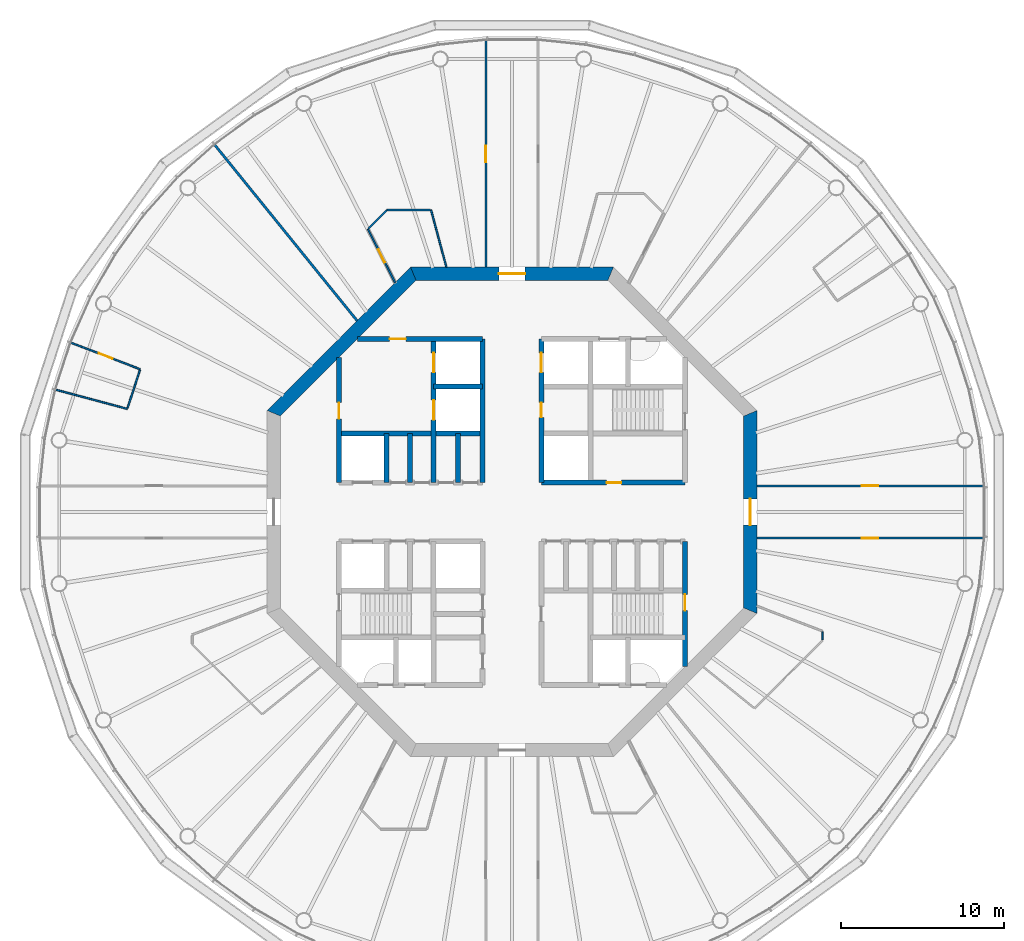
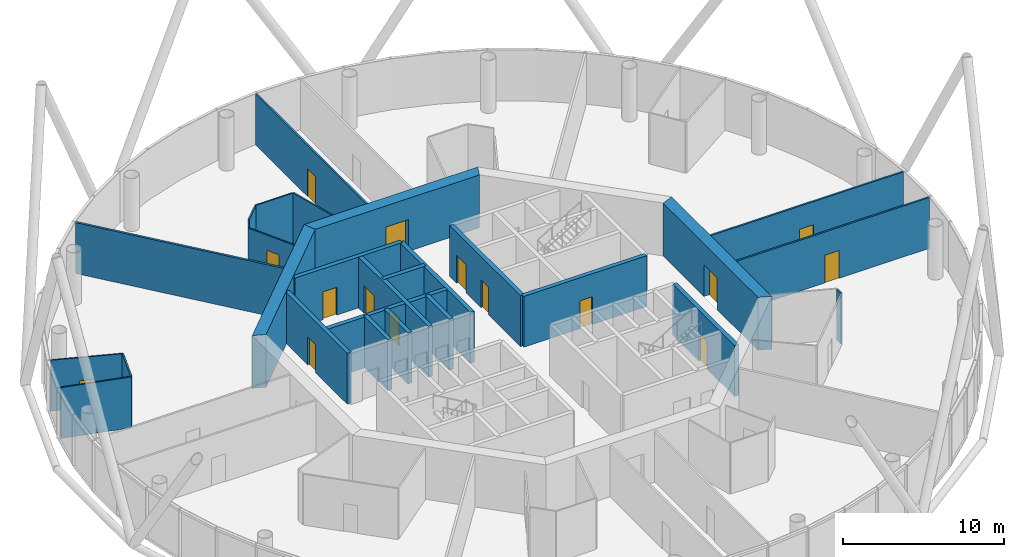
# One storey, part 5 of 13: 27 walls, 15 doors, 15 openings.
"""IFC4 building model written with IfcOpenShell, lengths in metres."""

from ifc_helpers import new_model, si_unit, direction, frame, frame_2d, origin, place, context, subcontext, project, spatial, polyline, rectangle, outline, extrude, material, layer, layer_set, type_object, element, fill, save


model = new_model("IFC4")

# Units and contexts
model_context = context("Model", 3, precision=1e-05, world=origin(), true_north=direction((0.0, 1.0)))
body_context = subcontext(model_context, "Body", "Model", "MODEL_VIEW")
ifc_project = project(units=[si_unit("LENGTHUNIT", "METRE"), si_unit("AREAUNIT", "SQUARE_METRE"), si_unit("VOLUMEUNIT", "CUBIC_METRE"), si_unit("PLANEANGLEUNIT", "RADIAN"), si_unit("MASSUNIT", "GRAM", prefix="KILO")], contexts=[model_context])

# Site, building, storey
site_placement = place(None, origin())
site = spatial("IfcSite", under=ifc_project, at=site_placement, CompositionType="ELEMENT")
building_placement = place(site_placement, origin())
building = spatial("IfcBuilding", under=site, at=building_placement, Name="Entoto Ring Tower", CompositionType="ELEMENT")
storey_placement = place(building_placement, frame((0.0, 0.0, 294.0)))
storey = spatial("IfcBuildingStorey", under=building, at=storey_placement, Name="L67", CompositionType="ELEMENT", Elevation=294.0)

# Wall, opening, door
ifc_material_1 = material(Name="Concrete C40/50", Category="concrete")
ifc_layer_1 = layer(ifc_material_1, 0.300048828125)
ifc_layer_set_1 = layer_set([ifc_layer_1], Name="Concrete C40/50")
wall_type_1 = type_object("IfcWallType", Name="Core enclosure wall 300 mm reinforced concrete", PredefinedType="SOLIDWALL", material=ifc_layer_set_1)
wall_1_placement = place(storey_placement, frame((100.60009765625, 70.518310546875, 0.0), z_axis=(0.0, 0.0, 1.0), x_axis=(0.0, 1.0, 0.0)))
wall_1 = element("IfcWall", 1, at=wall_1_placement, inside=storey, type_object=wall_type_1, Name="wall-L67-001", PredefinedType="SOLIDWALL", context=body_context, shape_type="SweptSolid", body=[
    extrude(rectangle(XDim=7.681640625, YDim=0.300048828125, at=frame_2d((3.8408203125, 0.0))), origin(), (0.0, 0.0, 1.0), 3.85009765625),
])
opening_1_placement = place(wall_1_placement, frame((3.431884765625, 0.0, 0.0)))
opening_1 = element("IfcOpeningElement", 2, at=opening_1_placement, cuts=wall_1, Name="Opening K-31", PredefinedType="OPENING", context=body_context, shape_type="SweptSolid", body=[
    extrude(rectangle(XDim=1.0, YDim=2.10009765625, at=frame_2d((0.5, 1.050048828125))), frame((0.0, 0.16015625, 0.0), z_axis=(0.0, -1.0, 0.0), x_axis=(1.0, 0.0, 0.0)), (0.0, 0.0, 1.0), 0.320068359375),
])
ifc_material_2 = material(Name="Steel door leaf, fire rated", Category="steel")
ifc_layer_2 = layer(ifc_material_2, 0.050048828125)
ifc_layer_set_2 = layer_set([ifc_layer_2], Name="Steel door leaf, fire rated")
door_type_1 = type_object("IfcDoorType", Name="Fire door FD60 1000 x 2100 single leaf", OperationType="NOTDEFINED", PredefinedType="DOOR", material=ifc_layer_set_2)
door_1_placement = place(opening_1_placement, origin())
door_1 = element("IfcDoor", 3, at=door_1_placement, inside=storey, type_object=door_type_1, Name="Door K-31", OperationType="SINGLE_SWING_RIGHT", OverallHeight=2.10009765625, OverallWidth=1.0, PredefinedType="DOOR", context=body_context, shape_type="SweptSolid", body=[
    extrude(rectangle(XDim=1.0, YDim=2.10009765625, at=frame_2d((0.5, 1.050048828125))), frame((0.0, 0.02490234375, 0.0), z_axis=(0.0, -1.0, 0.0), x_axis=(1.0, 0.0, 0.0)), (0.0, 0.0, 1.0), 0.050048828125),
])
fill(opening_1, door_1)

# Wall, openings, doors
wall_2_placement = place(storey_placement, frame((91.800048828125, 81.800048828125, 0.0), z_axis=(0.0, 0.0, 1.0), x_axis=(0.0, 1.0, 0.0)))
wall_2 = element("IfcWall", 4, at=wall_2_placement, inside=storey, type_object=wall_type_1, Name="wall-L67-012", PredefinedType="SOLIDWALL", context=body_context, shape_type="SweptSolid", body=[
    extrude(rectangle(XDim=8.800048828125, YDim=0.300048828125, at=frame_2d((4.39990234375, 0.0))), origin(), (0.0, 0.0, 1.0), 3.85009765625),
])
opening_2_placement = place(wall_2_placement, frame((6.75, 0.0, 0.0)))
opening_2 = element("IfcOpeningElement", 5, at=opening_2_placement, cuts=wall_2, Name="Opening LD", PredefinedType="OPENING", context=body_context, shape_type="SweptSolid", body=[
    extrude(rectangle(XDim=1.199951171875, YDim=2.10009765625, at=frame_2d((0.60009765625, 1.050048828125))), frame((0.0, 0.16015625, 0.0), z_axis=(0.0, -1.0, 0.0), x_axis=(1.0, 0.0, 0.0)), (0.0, 0.0, 1.0), 0.320068359375),
])
opening_3_placement = place(wall_2_placement, frame((4.0, 0.0, 0.0)))
opening_3 = element("IfcOpeningElement", 6, at=opening_3_placement, cuts=wall_2, Name="Opening K-63", PredefinedType="OPENING", context=body_context, shape_type="SweptSolid", body=[
    extrude(rectangle(XDim=0.89990234375, YDim=2.10009765625, at=frame_2d((0.449951171875, 1.050048828125))), frame((0.0, 0.16015625, 0.0), z_axis=(0.0, -1.0, 0.0), x_axis=(1.0, 0.0, 0.0)), (0.0, 0.0, 1.0), 0.320068359375),
])
ifc_material_3 = material(Name="Steel door leaf, fire rated", Category="steel")
ifc_layer_3 = layer(ifc_material_3, 0.050048828125)
ifc_layer_set_3 = layer_set([ifc_layer_3], Name="Steel door leaf, fire rated")
door_type_2 = type_object("IfcDoorType", Name="Core door 900 x 2100 single leaf", OperationType="NOTDEFINED", PredefinedType="DOOR", material=ifc_layer_set_3)
door_2_placement = place(opening_3_placement, frame((0.89990234375, 0.0, 0.0), z_axis=(0.0, 0.0, 1.0), x_axis=(-1.0, 0.0, 0.0)))
door_2 = element("IfcDoor", 7, at=door_2_placement, inside=storey, type_object=door_type_2, Name="Door K-63", OperationType="SINGLE_SWING_RIGHT", OverallHeight=2.10009765625, OverallWidth=0.89990234375, PredefinedType="DOOR", context=body_context, shape_type="SweptSolid", body=[
    extrude(rectangle(XDim=0.89990234375, YDim=2.10009765625, at=frame_2d((0.449951171875, 1.050048828125))), frame((0.0, 0.02490234375, 0.0), z_axis=(0.0, -1.0, 0.0), x_axis=(1.0, 0.0, 0.0)), (0.0, 0.0, 1.0), 0.050048828125),
])
fill(opening_3, door_2)
ifc_material_4 = material(Name="Steel and glass door leaf", Category="steel")
ifc_layer_4 = layer(ifc_material_4, 0.050048828125)
ifc_layer_set_4 = layer_set([ifc_layer_4], Name="Steel and glass door leaf")
door_type_3 = type_object("IfcDoorType", Name="Landing door 1200 x 2100 sliding", OperationType="DOUBLE_DOOR_SLIDING", PredefinedType="DOOR", material=ifc_layer_set_4)
door_3_placement = place(opening_2_placement, origin())
door_3 = element("IfcDoor", 8, at=door_3_placement, inside=storey, type_object=door_type_3, Name="Landing door SH3", OperationType="SLIDING_TO_RIGHT", OverallHeight=2.10009765625, OverallWidth=1.199951171875, PredefinedType="DOOR", context=body_context, shape_type="SweptSolid", body=[
    extrude(rectangle(XDim=1.199951171875, YDim=2.10009765625, at=frame_2d((0.60009765625, 1.050048828125))), frame((0.0, 0.02490234375, 0.0), z_axis=(0.0, -1.0, 0.0), x_axis=(1.0, 0.0, 0.0)), (0.0, 0.0, 1.0), 0.050048828125),
])
fill(opening_2, door_3)

# Walls
wall_3_placement = place(storey_placement, frame((88.199951171875, 81.800048828125, 0.0), z_axis=(0.0, 0.0, 1.0), x_axis=(0.0, 1.0, 0.0)))
element("IfcWall", 9, at=wall_3_placement, inside=storey, type_object=wall_type_1, Name="wall-L67-014", PredefinedType="SOLIDWALL", context=body_context, shape_type="SweptSolid", body=[
    extrude(rectangle(XDim=8.800048828125, YDim=0.300048828125, at=frame_2d((4.39990234375, 0.0))), origin(), (0.0, 0.0, 1.0), 3.85009765625),
])
wall_4_placement = place(storey_placement, frame((86.699951171875, 81.800048828125, 0.0), z_axis=(0.0, 0.0, 1.0), x_axis=(0.0, 1.0, 0.0)))
element("IfcWall", 10, at=wall_4_placement, inside=storey, type_object=wall_type_1, Name="wall-L67-015", PredefinedType="SOLIDWALL", context=body_context, shape_type="SweptSolid", body=[
    extrude(rectangle(XDim=3.0, YDim=0.300048828125, at=frame_2d((1.5, 0.0))), origin(), (0.0, 0.0, 1.0), 3.85009765625),
])

# Wall, openings, doors
wall_5_placement = place(storey_placement, frame((85.199951171875, 81.800048828125, 0.0), z_axis=(0.0, 0.0, 1.0), x_axis=(0.0, 1.0, 0.0)))
wall_5 = element("IfcWall", 11, at=wall_5_placement, inside=storey, type_object=wall_type_1, Name="wall-L67-017", PredefinedType="SOLIDWALL", context=body_context, shape_type="SweptSolid", body=[
    extrude(rectangle(XDim=8.800048828125, YDim=0.300048828125, at=frame_2d((4.39990234375, 0.0))), origin(), (0.0, 0.0, 1.0), 3.85009765625),
])
opening_4_placement = place(wall_5_placement, frame((3.85009765625, 0.0, 0.0)))
opening_4 = element("IfcOpeningElement", 12, at=opening_4_placement, cuts=wall_5, Name="Opening LD", PredefinedType="OPENING", context=body_context, shape_type="SweptSolid", body=[
    extrude(rectangle(XDim=1.199951171875, YDim=2.10009765625, at=frame_2d((0.60009765625, 1.050048828125))), frame((0.0, 0.16015625, 0.0), z_axis=(0.0, -1.0, 0.0), x_axis=(1.0, 0.0, 0.0)), (0.0, 0.0, 1.0), 0.320068359375),
])
opening_5_placement = place(wall_5_placement, frame((6.75, 0.0, 0.0)))
opening_5 = element("IfcOpeningElement", 13, at=opening_5_placement, cuts=wall_5, Name="Opening LD", PredefinedType="OPENING", context=body_context, shape_type="SweptSolid", body=[
    extrude(rectangle(XDim=1.199951171875, YDim=2.10009765625, at=frame_2d((0.60009765625, 1.050048828125))), frame((0.0, 0.16015625, 0.0), z_axis=(0.0, -1.0, 0.0), x_axis=(1.0, 0.0, 0.0)), (0.0, 0.0, 1.0), 0.320068359375),
])
door_4_placement = place(opening_4_placement, origin())
door_4 = element("IfcDoor", 14, at=door_4_placement, inside=storey, type_object=door_type_3, Name="Landing door FF1", OperationType="SLIDING_TO_RIGHT", OverallHeight=2.10009765625, OverallWidth=1.199951171875, PredefinedType="DOOR", context=body_context, shape_type="SweptSolid", body=[
    extrude(rectangle(XDim=1.199951171875, YDim=2.10009765625, at=frame_2d((0.60009765625, 1.050048828125))), frame((0.0, 0.02490234375, 0.0), z_axis=(0.0, -1.0, 0.0), x_axis=(1.0, 0.0, 0.0)), (0.0, 0.0, 1.0), 0.050048828125),
])
fill(opening_4, door_4)
door_5_placement = place(opening_5_placement, origin())
door_5 = element("IfcDoor", 15, at=door_5_placement, inside=storey, type_object=door_type_3, Name="Landing door FF2", OperationType="SLIDING_TO_RIGHT", OverallHeight=2.10009765625, OverallWidth=1.199951171875, PredefinedType="DOOR", context=body_context, shape_type="SweptSolid", body=[
    extrude(rectangle(XDim=1.199951171875, YDim=2.10009765625, at=frame_2d((0.60009765625, 1.050048828125))), frame((0.0, 0.02490234375, 0.0), z_axis=(0.0, -1.0, 0.0), x_axis=(1.0, 0.0, 0.0)), (0.0, 0.0, 1.0), 0.050048828125),
])
fill(opening_5, door_5)

# Walls
for number, where, z_axis, x_axis, name in (
    (16, (83.75, 81.800048828125, 0.0), (0.0, 0.0, 1.0), (0.0, 1.0, 0.0), "wall-L67-019"),
    (17, (82.300048828125, 81.800048828125, 0.0), (0.0, 0.0, 1.0), (0.0, 1.0, 0.0), "wall-L67-022"),
):
    element("IfcWall", number, at=place(storey_placement, frame(where, z_axis=z_axis, x_axis=x_axis)), inside=storey, type_object=wall_type_1, Name=name, PredefinedType="SOLIDWALL", context=body_context, shape_type="SweptSolid", body=[
        extrude(rectangle(XDim=3.0, YDim=0.300048828125, at=frame_2d((1.5, 0.0))), origin(), (0.0, 0.0, 1.0), 3.85009765625),
    ])

# Wall, opening, door
wall_6_placement = place(storey_placement, frame((79.39990234375, 81.800048828125, 0.0), z_axis=(0.0, 0.0, 1.0), x_axis=(0.0, 1.0, 0.0)))
wall_6 = element("IfcWall", 18, at=wall_6_placement, inside=storey, type_object=wall_type_1, Name="wall-L67-024", PredefinedType="SOLIDWALL", context=body_context, shape_type="SweptSolid", body=[
    extrude(rectangle(XDim=7.681640625, YDim=0.300048828125, at=frame_2d((3.8408203125, 0.0))), origin(), (0.0, 0.0, 1.0), 3.85009765625),
])
opening_6_placement = place(wall_6_placement, frame((3.89990234375, 0.0, 0.0)))
opening_6 = element("IfcOpeningElement", 19, at=opening_6_placement, cuts=wall_6, Name="Opening K-35", PredefinedType="OPENING", context=body_context, shape_type="SweptSolid", body=[
    extrude(rectangle(XDim=1.0, YDim=2.10009765625, at=frame_2d((0.5, 1.050048828125))), frame((0.0, 0.16015625, 0.0), z_axis=(0.0, -1.0, 0.0), x_axis=(1.0, 0.0, 0.0)), (0.0, 0.0, 1.0), 0.320068359375),
])
door_6_placement = place(opening_6_placement, frame((1.0, 0.0, 0.0), z_axis=(0.0, 0.0, 1.0), x_axis=(-1.0, 0.0, 0.0)))
door_6 = element("IfcDoor", 20, at=door_6_placement, inside=storey, type_object=door_type_1, Name="Door K-35", OperationType="SINGLE_SWING_RIGHT", OverallHeight=2.10009765625, OverallWidth=1.0, PredefinedType="DOOR", context=body_context, shape_type="SweptSolid", body=[
    extrude(rectangle(XDim=1.0, YDim=2.10009765625, at=frame_2d((0.5, 1.050048828125))), frame((0.0, 0.02490234375, 0.0), z_axis=(0.0, -1.0, 0.0), x_axis=(1.0, 0.0, 0.0)), (0.0, 0.0, 1.0), 0.050048828125),
])
fill(opening_6, door_6)

wall_7_placement = place(storey_placement, frame((91.800048828125, 81.800048828125, 0.0), z_axis=(0.0, 0.0, 1.0), x_axis=(1.0, 0.0, 0.0)))
wall_7 = element("IfcWall", 21, at=wall_7_placement, inside=storey, type_object=wall_type_1, Name="wall-L67-035", PredefinedType="SOLIDWALL", context=body_context, shape_type="SweptSolid", body=[
    extrude(rectangle(XDim=8.800048828125, YDim=0.300048828125, at=frame_2d((4.39990234375, 0.0))), origin(), (0.0, 0.0, 1.0), 3.85009765625),
])
opening_7_placement = place(wall_7_placement, frame((4.0, 0.0, 0.0)))
opening_7 = element("IfcOpeningElement", 22, at=opening_7_placement, cuts=wall_7, Name="Opening K-11", PredefinedType="OPENING", context=body_context, shape_type="SweptSolid", body=[
    extrude(rectangle(XDim=0.89990234375, YDim=2.10009765625, at=frame_2d((0.449951171875, 1.050048828125))), frame((0.0, 0.16015625, 0.0), z_axis=(0.0, -1.0, 0.0), x_axis=(1.0, 0.0, 0.0)), (0.0, 0.0, 1.0), 0.320068359375),
])
door_7_placement = place(opening_7_placement, origin())
door_7 = element("IfcDoor", 23, at=door_7_placement, inside=storey, type_object=door_type_2, Name="Door K-11", OperationType="SINGLE_SWING_LEFT", OverallHeight=2.10009765625, OverallWidth=0.89990234375, PredefinedType="DOOR", context=body_context, shape_type="SweptSolid", body=[
    extrude(rectangle(XDim=0.89990234375, YDim=2.10009765625, at=frame_2d((0.449951171875, 1.050048828125))), frame((0.0, 0.02490234375, 0.0), z_axis=(0.0, -1.0, 0.0), x_axis=(1.0, 0.0, 0.0)), (0.0, 0.0, 1.0), 0.050048828125),
])
fill(opening_7, door_7)

# Walls
wall_8_placement = place(storey_placement, frame((79.39990234375, 84.800048828125, 0.0), z_axis=(0.0, 0.0, 1.0), x_axis=(1.0, 0.0, 0.0)))
element("IfcWall", 24, at=wall_8_placement, inside=storey, type_object=wall_type_1, Name="wall-L67-036", PredefinedType="SOLIDWALL", context=body_context, shape_type="SweptSolid", body=[
    extrude(rectangle(XDim=8.800048828125, YDim=0.300048828125, at=frame_2d((4.39990234375, 0.0))), origin(), (0.0, 0.0, 1.0), 3.85009765625),
])
wall_9_placement = place(storey_placement, frame((85.199951171875, 87.699951171875, 0.0), z_axis=(0.0, 0.0, 1.0), x_axis=(1.0, 0.0, 0.0)))
element("IfcWall", 25, at=wall_9_placement, inside=storey, type_object=wall_type_1, Name="wall-L67-038", PredefinedType="SOLIDWALL", context=body_context, shape_type="SweptSolid", body=[
    extrude(rectangle(XDim=3.0, YDim=0.300048828125, at=frame_2d((1.5, 0.0))), origin(), (0.0, 0.0, 1.0), 3.85009765625),
])

# Wall, opening, door
wall_10_placement = place(storey_placement, frame((80.518310546875, 90.60009765625, 0.0), z_axis=(0.0, 0.0, 1.0), x_axis=(1.0, 0.0, 0.0)))
wall_10 = element("IfcWall", 26, at=wall_10_placement, inside=storey, type_object=wall_type_1, Name="wall-L67-040", PredefinedType="SOLIDWALL", context=body_context, shape_type="SweptSolid", body=[
    extrude(rectangle(XDim=7.681640625, YDim=0.300048828125, at=frame_2d((3.8408203125, 0.0))), origin(), (0.0, 0.0, 1.0), 3.85009765625),
])
opening_8_placement = place(wall_10_placement, frame((1.981689453125, 0.0, 0.0)))
opening_8 = element("IfcOpeningElement", 27, at=opening_8_placement, cuts=wall_10, Name="Opening K-36", PredefinedType="OPENING", context=body_context, shape_type="SweptSolid", body=[
    extrude(rectangle(XDim=1.0, YDim=2.10009765625, at=frame_2d((0.5, 1.050048828125))), frame((0.0, 0.16015625, 0.0), z_axis=(0.0, -1.0, 0.0), x_axis=(1.0, 0.0, 0.0)), (0.0, 0.0, 1.0), 0.320068359375),
])
door_8_placement = place(opening_8_placement, frame((1.0, 0.0, 0.0), z_axis=(0.0, 0.0, 1.0), x_axis=(-1.0, 0.0, 0.0)))
door_8 = element("IfcDoor", 28, at=door_8_placement, inside=storey, type_object=door_type_1, Name="Door K-36", OperationType="SINGLE_SWING_LEFT", OverallHeight=2.10009765625, OverallWidth=1.0, PredefinedType="DOOR", context=body_context, shape_type="SweptSolid", body=[
    extrude(rectangle(XDim=1.0, YDim=2.10009765625, at=frame_2d((0.5, 1.050048828125))), frame((0.0, 0.02490234375, 0.0), z_axis=(0.0, -1.0, 0.0), x_axis=(1.0, 0.0, 0.0)), (0.0, 0.0, 1.0), 0.050048828125),
])
fill(opening_8, door_8)

ifc_material_5 = material(Name="Concrete C40/50", Category="concrete")
ifc_layer_5 = layer(ifc_material_5, 0.800048828125)
ifc_layer_set_5 = layer_set([ifc_layer_5], Name="Concrete C40/50")
wall_type_2 = type_object("IfcWallType", Name="Core shear wall 800 mm reinforced concrete C40/50", PredefinedType="SHEAR", material=ifc_layer_set_5)
wall_11_placement = place(storey_placement, frame((104.60009765625, 73.952392578125, 0.0), z_axis=(0.0, 0.0, 1.0), x_axis=(0.0, 1.0, 0.0)))
wall_11 = element("IfcWall", 29, at=wall_11_placement, inside=storey, type_object=wall_type_2, Name="wall-L67-core-0", PredefinedType="SHEAR", context=body_context, shape_type="SweptSolid", body=[
    extrude(outline(polyline([(-0.165771484375, -0.39990234375), (12.260986328125, -0.39990234375), (11.929443359375, 0.39990234375), (0.165771484375, 0.39990234375), (-0.165771484375, -0.39990234375)])), origin(), (0.0, 0.0, 1.0), 4.0),
])
opening_9_placement = place(wall_11_placement, frame((5.24755859375, 0.0, 0.0)))
opening_9 = element("IfcOpeningElement", 30, at=opening_9_placement, cuts=wall_11, Name="Opening K-01", PredefinedType="OPENING", context=body_context, shape_type="SweptSolid", body=[
    extrude(rectangle(XDim=1.60009765625, YDim=2.39990234375, at=frame_2d((0.800048828125, 1.199951171875))), frame((0.0, 0.41015625, 0.0), z_axis=(0.0, -1.0, 0.0), x_axis=(1.0, 0.0, 0.0)), (0.0, 0.0, 1.0), 0.820068359375),
])
ifc_material_6 = material(Name="Steel door leaf, fire rated", Category="steel")
ifc_layer_6 = layer(ifc_material_6, 0.050048828125)
ifc_layer_set_6 = layer_set([ifc_layer_6], Name="Steel door leaf, fire rated")
door_type_4 = type_object("IfcDoorType", Name="Entrance door FD60 1600 x 2400 double leaf", OperationType="DOUBLE_DOOR_SINGLE_SWING", PredefinedType="DOOR", material=ifc_layer_set_6)
door_9_placement = place(opening_9_placement, origin())
door_9 = element("IfcDoor", 31, at=door_9_placement, inside=storey, type_object=door_type_4, Name="Entrance door K-01", OperationType="DOUBLE_DOOR_SINGLE_SWING", OverallHeight=2.39990234375, OverallWidth=1.60009765625, PredefinedType="DOOR", context=body_context, shape_type="SweptSolid", body=[
    extrude(rectangle(XDim=1.60009765625, YDim=2.39990234375, at=frame_2d((0.800048828125, 1.199951171875))), frame((0.0, 0.02490234375, 0.0), z_axis=(0.0, -1.0, 0.0), x_axis=(1.0, 0.0, 0.0)), (0.0, 0.0, 1.0), 0.050048828125),
])
fill(opening_9, door_9)

wall_12_placement = place(storey_placement, frame((96.047607421875, 94.60009765625, 0.0), z_axis=(0.0, 0.0, 1.0), x_axis=(-1.0, 0.0, 0.0)))
wall_12 = element("IfcWall", 32, at=wall_12_placement, inside=storey, type_object=wall_type_2, Name="wall-L67-core-2", PredefinedType="SHEAR", context=body_context, shape_type="SweptSolid", body=[
    extrude(outline(polyline([(-0.165771484375, -0.39990234375), (12.260986328125, -0.39990234375), (11.929443359375, 0.39990234375), (0.165771484375, 0.39990234375), (-0.165771484375, -0.39990234375)])), origin(), (0.0, 0.0, 1.0), 4.0),
])
opening_10_placement = place(wall_12_placement, frame((5.24755859375, 0.0, 0.0)))
opening_10 = element("IfcOpeningElement", 33, at=opening_10_placement, cuts=wall_12, Name="Opening K-02", PredefinedType="OPENING", context=body_context, shape_type="SweptSolid", body=[
    extrude(rectangle(XDim=1.60009765625, YDim=2.39990234375, at=frame_2d((0.800048828125, 1.199951171875))), frame((0.0, 0.41015625, 0.0), z_axis=(0.0, -1.0, 0.0), x_axis=(1.0, 0.0, 0.0)), (0.0, 0.0, 1.0), 0.820068359375),
])
door_10_placement = place(opening_10_placement, origin())
door_10 = element("IfcDoor", 34, at=door_10_placement, inside=storey, type_object=door_type_4, Name="Entrance door K-02", OperationType="DOUBLE_DOOR_SINGLE_SWING", OverallHeight=2.39990234375, OverallWidth=1.60009765625, PredefinedType="DOOR", context=body_context, shape_type="SweptSolid", body=[
    extrude(rectangle(XDim=1.60009765625, YDim=2.39990234375, at=frame_2d((0.800048828125, 1.199951171875))), frame((0.0, 0.02490234375, 0.0), z_axis=(0.0, -1.0, 0.0), x_axis=(1.0, 0.0, 0.0)), (0.0, 0.0, 1.0), 0.050048828125),
])
fill(opening_10, door_10)

# Wall
wall_13_placement = place(storey_placement, frame((83.952392578125, 94.60009765625, 0.0), z_axis=(0.0, 0.0, 1.0), x_axis=(-0.707106781187, -0.707106781187, 0.0)))
element("IfcWall", 35, at=wall_13_placement, inside=storey, type_object=wall_type_2, Name="wall-L67-core-3", PredefinedType="SHEAR", context=body_context, shape_type="SweptSolid", body=[
    extrude(outline(polyline([(-0.165771484375, -0.39990234375), (12.2607421875, -0.39990234375), (11.92919921875, 0.39990234375), (0.165771484375, 0.39990234375), (-0.165771484375, -0.39990234375)])), origin(), (0.0, 0.0, 1.0), 4.0),
])

# Wall, opening, door
ifc_material_7 = material(Name="Fire-resisting plasterboard on steel studs", Category="steel")
ifc_layer_7 = layer(ifc_material_7, 0.125)
ifc_layer_set_7 = layer_set([ifc_layer_7], Name="Fire-resisting plasterboard on steel studs")
wall_type_3 = type_object("IfcWallType", Name="Corridor wall 125 mm one-hour plasterboard on steel studs", PredefinedType="PARTITIONING", material=ifc_layer_set_7)
wall_14_placement = place(storey_placement, frame((88.39990234375, 95.0, 0.0), z_axis=(0.0, 0.0, 1.0), x_axis=(0.0, 1.0, 0.0)))
wall_14 = element("IfcWall", 36, at=wall_14_placement, inside=storey, type_object=wall_type_3, Name="partition-L67-004", PredefinedType="PARTITIONING", context=body_context, shape_type="SweptSolid", body=[
    extrude(rectangle(XDim=13.891357421875, YDim=0.125, at=frame_2d((6.94580078125, 0.0))), origin(), (0.0, 0.0, 1.0), 3.85009765625),
])
opening_11_placement = place(wall_14_placement, frame((6.44580078125, 0.0, 0.0)))
opening_11 = element("IfcOpeningElement", 37, at=opening_11_placement, cuts=wall_14, Name="Opening A29-D05", PredefinedType="OPENING", context=body_context, shape_type="SweptSolid", body=[
    extrude(rectangle(XDim=1.0, YDim=2.10009765625, at=frame_2d((0.5, 1.050048828125))), frame((0.0, 0.072509765625, 0.0), z_axis=(0.0, -1.0, 0.0), x_axis=(1.0, 0.0, 0.0)), (0.0, 0.0, 1.0), 0.14501953125),
])
ifc_material_8 = material(Name="Fire-resisting timber door set", Category="wood")
door_type_5 = type_object("IfcDoorType", Name="Door 1000 x 2100 single leaf FD30S fire door", OperationType="NOTDEFINED", PredefinedType="DOOR", material=ifc_material_8)
door_11_placement = place(opening_11_placement, origin())
door_11 = element("IfcDoor", 38, at=door_11_placement, inside=storey, type_object=door_type_5, Name="Door A29-D05", OperationType="SINGLE_SWING_RIGHT", OverallHeight=2.10009765625, OverallWidth=1.0, PredefinedType="DOOR", context=body_context, shape_type="SweptSolid", body=[
    extrude(rectangle(XDim=1.0, YDim=2.10009765625, at=frame_2d((0.5, 1.050048828125))), frame((0.0, 0.02490234375, 0.0), z_axis=(0.0, -1.0, 0.0), x_axis=(1.0, 0.0, 0.0)), (0.0, 0.0, 1.0), 0.050048828125),
])
fill(opening_11, door_11)

wall_15_placement = place(storey_placement, frame((105.0, 78.39990234375, 0.0), z_axis=(0.0, 0.0, 1.0), x_axis=(1.0, 0.0, 0.0)))
wall_15 = element("IfcWall", 39, at=wall_15_placement, inside=storey, type_object=wall_type_3, Name="partition-L67-007", PredefinedType="PARTITIONING", context=body_context, shape_type="SweptSolid", body=[
    extrude(rectangle(XDim=13.891357421875, YDim=0.125, at=frame_2d((6.94580078125, 0.0))), origin(), (0.0, 0.0, 1.0), 3.85009765625),
])
opening_12_placement = place(wall_15_placement, frame((6.44580078125, 0.0, 0.0)))
opening_12 = element("IfcOpeningElement", 40, at=opening_12_placement, cuts=wall_15, Name="Opening A29-D15", PredefinedType="OPENING", context=body_context, shape_type="SweptSolid", body=[
    extrude(rectangle(XDim=1.0, YDim=2.10009765625, at=frame_2d((0.5, 1.050048828125))), frame((0.0, 0.072509765625, 0.0), z_axis=(0.0, -1.0, 0.0), x_axis=(1.0, 0.0, 0.0)), (0.0, 0.0, 1.0), 0.14501953125),
])
door_12_placement = place(opening_12_placement, frame((1.0, 0.0, 0.0), z_axis=(0.0, 0.0, 1.0), x_axis=(-1.0, 0.0, 0.0)))
door_12 = element("IfcDoor", 41, at=door_12_placement, inside=storey, type_object=door_type_5, Name="Door A29-D15", OperationType="SINGLE_SWING_LEFT", OverallHeight=2.10009765625, OverallWidth=1.0, PredefinedType="DOOR", context=body_context, shape_type="SweptSolid", body=[
    extrude(rectangle(XDim=1.0, YDim=2.10009765625, at=frame_2d((0.5, 1.050048828125))), frame((0.0, 0.02490234375, 0.0), z_axis=(0.0, -1.0, 0.0), x_axis=(1.0, 0.0, 0.0)), (0.0, 0.0, 1.0), 0.050048828125),
])
fill(opening_12, door_12)

wall_16_placement = place(storey_placement, frame((105.0, 81.60009765625, 0.0), z_axis=(0.0, 0.0, 1.0), x_axis=(1.0, 0.0, 0.0)))
wall_16 = element("IfcWall", 42, at=wall_16_placement, inside=storey, type_object=wall_type_3, Name="partition-L67-008", PredefinedType="PARTITIONING", context=body_context, shape_type="SweptSolid", body=[
    extrude(rectangle(XDim=13.891357421875, YDim=0.125, at=frame_2d((6.94580078125, 0.0))), origin(), (0.0, 0.0, 1.0), 3.85009765625),
])
opening_13_placement = place(wall_16_placement, frame((6.44580078125, 0.0, 0.0)))
opening_13 = element("IfcOpeningElement", 43, at=opening_13_placement, cuts=wall_16, Name="Opening A29-D01", PredefinedType="OPENING", context=body_context, shape_type="SweptSolid", body=[
    extrude(rectangle(XDim=1.0, YDim=2.10009765625, at=frame_2d((0.5, 1.050048828125))), frame((0.0, 0.072509765625, 0.0), z_axis=(0.0, -1.0, 0.0), x_axis=(1.0, 0.0, 0.0)), (0.0, 0.0, 1.0), 0.14501953125),
])
door_13_placement = place(opening_13_placement, origin())
door_13 = element("IfcDoor", 44, at=door_13_placement, inside=storey, type_object=door_type_5, Name="Door A29-D01", OperationType="SINGLE_SWING_RIGHT", OverallHeight=2.10009765625, OverallWidth=1.0, PredefinedType="DOOR", context=body_context, shape_type="SweptSolid", body=[
    extrude(rectangle(XDim=1.0, YDim=2.10009765625, at=frame_2d((0.5, 1.050048828125))), frame((0.0, 0.02490234375, 0.0), z_axis=(0.0, -1.0, 0.0), x_axis=(1.0, 0.0, 0.0)), (0.0, 0.0, 1.0), 0.050048828125),
])
fill(opening_13, door_13)

ifc_material_9 = material(Name="Plasterboard on steel studs", Category="steel")
ifc_layer_8 = layer(ifc_material_9, 0.10009765625)
ifc_layer_set_8 = layer_set([ifc_layer_8], Name="Plasterboard on steel studs")
wall_type_4 = type_object("IfcWallType", Name="Partition 100 mm plasterboard on steel studs", PredefinedType="PARTITIONING", material=ifc_layer_set_8)
wall_17_placement = place(storey_placement, frame((67.211181640625, 88.747802734375, 0.0), z_axis=(0.0, 0.0, 1.0), x_axis=(-0.933585706351, 0.358354194754, 0.0)))
wall_17 = element("IfcWall", 45, at=wall_17_placement, inside=storey, type_object=wall_type_4, Name="partition-L67-023", PredefinedType="PARTITIONING", context=body_context, shape_type="SweptSolid", body=[
    extrude(rectangle(XDim=4.52978515625, YDim=0.10009765625, at=frame_2d((2.264892578125, 0.0))), origin(), (0.0, 0.0, 1.0), 3.85009765625),
])
opening_14_placement = place(wall_17_placement, frame((1.81494140625, 0.0, 0.0)))
opening_14 = element("IfcOpeningElement", 46, at=opening_14_placement, cuts=wall_17, Name="Opening A29-D08", PredefinedType="OPENING", context=body_context, shape_type="SweptSolid", body=[
    extrude(rectangle(XDim=0.89990234375, YDim=2.10009765625, at=frame_2d((0.449951171875, 1.050048828125))), frame((0.0, 0.06005859375, 0.0), z_axis=(0.0, -1.0, 0.0), x_axis=(1.0, 0.0, 0.0)), (0.0, 0.0, 1.0), 0.1201171875),
])
ifc_material_10 = material(Name="Veneered timber door leaf in timber frame", Category="wood")
door_type_6 = type_object("IfcDoorType", Name="Door 900 x 2100 single leaf timber veneer", OperationType="NOTDEFINED", PredefinedType="DOOR", material=ifc_material_10)
door_14_placement = place(opening_14_placement, origin())
door_14 = element("IfcDoor", 47, at=door_14_placement, inside=storey, type_object=door_type_6, Name="Door A29-D08", OperationType="SINGLE_SWING_RIGHT", OverallHeight=2.10009765625, OverallWidth=0.89990234375, PredefinedType="DOOR", context=body_context, shape_type="SweptSolid", body=[
    extrude(rectangle(XDim=0.89990234375, YDim=2.10009765625, at=frame_2d((0.449951171875, 1.050048828125))), frame((0.0, 0.02490234375, 0.0), z_axis=(0.0, -1.0, 0.0), x_axis=(1.0, 0.0, 0.0)), (0.0, 0.0, 1.0), 0.050048828125),
])
fill(opening_14, door_14)

# Walls
wall_18_placement = place(storey_placement, frame((66.421875, 86.31787109375, 0.0), z_axis=(0.0, 0.0, 1.0), x_axis=(-0.965931934516, 0.258796247813, 0.0)))
element("IfcWall", 48, at=wall_18_placement, inside=storey, type_object=wall_type_4, Name="partition-L67-024", PredefinedType="PARTITIONING", context=body_context, shape_type="SweptSolid", body=[
    extrude(rectangle(XDim=4.530029296875, YDim=0.10009765625, at=frame_2d((2.26513671875, 0.0))), origin(), (0.0, 0.0, 1.0), 3.85009765625),
])
wall_19_placement = place(storey_placement, frame((85.980712890625, 95.0, 0.0), z_axis=(0.0, 0.0, 1.0), x_axis=(-0.258799892226, 0.965930958083, 0.0)))
element("IfcWall", 49, at=wall_19_placement, inside=storey, type_object=wall_type_4, Name="partition-L67-028", PredefinedType="PARTITIONING", context=body_context, shape_type="SweptSolid", body=[
    extrude(rectangle(XDim=3.6337890625, YDim=0.10009765625, at=frame_2d((1.81689453125, 0.0))), origin(), (0.0, 0.0, 1.0), 3.85009765625),
])
wall_20_placement = place(storey_placement, frame((82.3330078125, 98.510009765625, 0.0), z_axis=(0.0, 0.0, 1.0), x_axis=(1.0, 0.0, 0.0)))
element("IfcWall", 50, at=wall_20_placement, inside=storey, type_object=wall_type_4, Name="partition-L67-033", PredefinedType="PARTITIONING", context=body_context, shape_type="SweptSolid", body=[
    extrude(rectangle(XDim=2.6591796875, YDim=0.10009765625, at=frame_2d((1.32958984375, 0.0))), origin(), (0.0, 0.0, 1.0), 3.85009765625),
])
wall_21_placement = place(storey_placement, frame((66.437255859375, 86.365234375, 0.0), z_axis=(0.0, 0.0, 1.0), x_axis=(0.308969144468, 0.951072062341, 0.0)))
element("IfcWall", 51, at=wall_21_placement, inside=storey, type_object=wall_type_4, Name="partition-L67-035", PredefinedType="PARTITIONING", context=body_context, shape_type="SweptSolid", body=[
    extrude(rectangle(XDim=2.455078125, YDim=0.10009765625, at=frame_2d((1.2275390625, 0.0))), origin(), (0.0, 0.0, 1.0), 3.85009765625),
])
wall_22_placement = place(storey_placement, frame((81.19775390625, 97.374755859375, 0.0), z_axis=(0.0, 0.0, 1.0), x_axis=(0.707106781187, 0.707106781187, 0.0)))
element("IfcWall", 52, at=wall_22_placement, inside=storey, type_object=wall_type_4, Name="partition-L67-039", PredefinedType="PARTITIONING", context=body_context, shape_type="SweptSolid", body=[
    extrude(rectangle(XDim=1.5703125, YDim=0.10009765625, at=frame_2d((0.78515625, 0.0))), origin(), (0.0, 0.0, 1.0), 3.85009765625),
])
wall_23_placement = place(storey_placement, frame((109.02001953125, 72.15673828125, 0.0), z_axis=(0.0, 0.0, 1.0), x_axis=(0.0, 1.0, 0.0)))
element("IfcWall", 53, at=wall_23_placement, inside=storey, type_object=wall_type_4, Name="partition-L67-042", PredefinedType="PARTITIONING", context=body_context, shape_type="SweptSolid", body=[
    extrude(rectangle(XDim=0.49560546875, YDim=0.10009765625, at=frame_2d((0.247802734375, 0.0))), origin(), (0.0, 0.0, 1.0), 3.85009765625),
])

# Wall, opening, door
ifc_material_11 = material(Name="Plasterboard on steel studs", Category="steel")
ifc_layer_9 = layer(ifc_material_11, 0.10009765625)
ifc_layer_set_9 = layer_set([ifc_layer_9], Name="Plasterboard on steel studs")
wall_type_5 = type_object("IfcWallType", Name="Partition 100 mm plasterboard on steel studs, 3250 mm high", PredefinedType="PARTITIONING", material=ifc_layer_set_9)
wall_24_placement = place(storey_placement, frame((82.839599609375, 94.052978515625, 0.0), z_axis=(0.0, 0.0, 1.0), x_axis=(-0.453948574288, 0.891027885031, 0.0)))
wall_24 = element("IfcWall", 54, at=wall_24_placement, inside=storey, type_object=wall_type_5, Name="partition-L67-027", PredefinedType="PARTITIONING", context=body_context, shape_type="SweptSolid", body=[
    extrude(rectangle(XDim=3.6904296875, YDim=0.10009765625, at=frame_2d((1.84521484375, 0.0))), origin(), (0.0, 0.0, 1.0), 3.25),
])
opening_15_placement = place(wall_24_placement, frame((1.395263671875, 0.0, 0.0)))
opening_15 = element("IfcOpeningElement", 55, at=opening_15_placement, cuts=wall_24, Name="Opening A29-D06", PredefinedType="OPENING", context=body_context, shape_type="SweptSolid", body=[
    extrude(rectangle(XDim=0.89990234375, YDim=2.10009765625, at=frame_2d((0.449951171875, 1.050048828125))), frame((0.0, 0.06005859375, 0.0), z_axis=(0.0, -1.0, 0.0), x_axis=(1.0, 0.0, 0.0)), (0.0, 0.0, 1.0), 0.1201171875),
])
door_15_placement = place(opening_15_placement, frame((0.89990234375, 0.0, 0.0), z_axis=(0.0, 0.0, 1.0), x_axis=(-1.0, 0.0, 0.0)))
door_15 = element("IfcDoor", 56, at=door_15_placement, inside=storey, type_object=door_type_6, Name="Door A29-D06", OperationType="SINGLE_SWING_RIGHT", OverallHeight=2.10009765625, OverallWidth=0.89990234375, PredefinedType="DOOR", context=body_context, shape_type="SweptSolid", body=[
    extrude(rectangle(XDim=0.89990234375, YDim=2.10009765625, at=frame_2d((0.449951171875, 1.050048828125))), frame((0.0, 0.02490234375, 0.0), z_axis=(0.0, -1.0, 0.0), x_axis=(1.0, 0.0, 0.0)), (0.0, 0.0, 1.0), 0.050048828125),
])
fill(opening_15, door_15)

# Wall
ifc_material_12 = material(Name="Fire-resisting acoustic plasterboard on steel studs", Category="steel")
ifc_layer_10 = layer(ifc_material_12, 0.14990234375)
ifc_layer_set_10 = layer_set([ifc_layer_10], Name="Fire-resisting acoustic plasterboard on steel studs")
wall_type_6 = type_object("IfcWallType", Name="Party wall 150 mm one-hour acoustic plasterboard on steel studs", PredefinedType="PARTITIONING", material=ifc_layer_set_10)
wall_25_placement = place(storey_placement, frame((80.50830078125, 91.721435546875, 0.0), z_axis=(0.0, 0.0, 1.0), x_axis=(-0.629324927109, 0.777142288207, 0.0)))
element("IfcWall", 57, at=wall_25_placement, inside=storey, type_object=wall_type_6, Name="partition-L67-010", PredefinedType="PARTITIONING", context=body_context, shape_type="SweptSolid", body=[
    extrude(rectangle(XDim=13.857177734375, YDim=0.14990234375, at=frame_2d((6.9287109375, 0.0))), origin(), (0.0, 0.0, 1.0), 3.85009765625),
])

save(model, "model.ifc")
